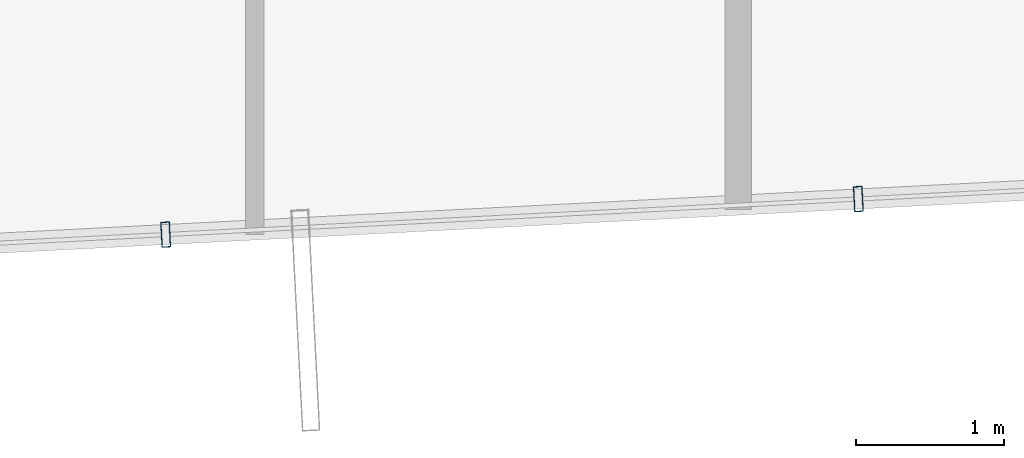
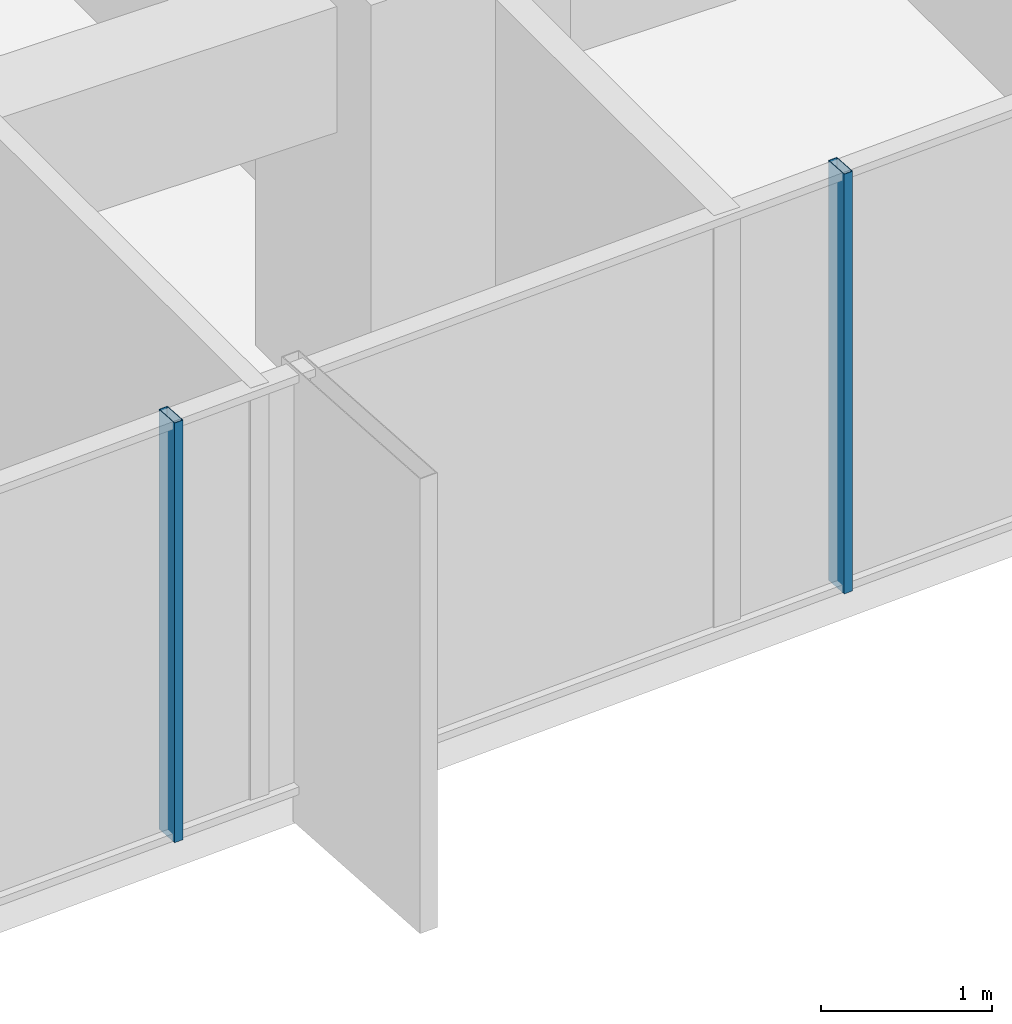
# One storey, part 6 of 37: 2 members, 1 element without a shape of its own.
"""IFC4 building model written with IfcOpenShell, lengths in metres."""

from ifc_helpers import new_model, si_unit, direction, frame, origin, origin_2d, place, context, subcontext, project, spatial, hollow_rectangle, extrude, source, transform, mapped, material, layer, layer_set, material_profile, profile_set, type_object, element, aggregate, save


model = new_model("IFC4")

# Units and contexts
model_context = context("Model", 3, precision=1e-05, world=origin(), true_north=direction((0.0, 1.0)))
body_context = subcontext(model_context, "Body", "Model", "MODEL_VIEW")
ifc_project = project(units=[si_unit("LENGTHUNIT", "METRE"), si_unit("AREAUNIT", "SQUARE_METRE"), si_unit("VOLUMEUNIT", "CUBIC_METRE"), si_unit("PLANEANGLEUNIT", "RADIAN"), si_unit("MASSUNIT", "GRAM", prefix="KILO")], contexts=[model_context])

# Site, building, storey
site_placement = place(None, origin())
site = spatial("IfcSite", under=ifc_project, at=site_placement, CompositionType="ELEMENT")
building_placement = place(site_placement, origin())
building = spatial("IfcBuilding", under=site, at=building_placement, Name="Veraguas Prism Commons", CompositionType="ELEMENT")
storey_placement = place(building_placement, frame((0.0, 0.0, 33.800048828125)))
storey = spatial("IfcBuildingStorey", under=building, at=storey_placement, Name="L08", CompositionType="ELEMENT", Elevation=33.800048828125)

# Curtain wall, members
ifc_material = material(Name="Anodised aluminium EN AW-6063 T6", Category="aluminium")
ifc_layer = layer(ifc_material, 0.169921875, Name="Unitised Flush Curtain Wall Zone 1", Category="aluminium")
ifc_layer_set = layer_set([ifc_layer], Name="Anodised aluminium EN AW-6063 T6")
curtain_wall_type = type_object("IfcCurtainWallType", Name="Unitised Flush Curtain Wall Zone 1", PredefinedType="NOTDEFINED", material=ifc_layer_set)
curtain_wall_placement = place(storey_placement, origin())
curtain_wall = element("IfcCurtainWall", 1, at=curtain_wall_placement, inside=storey, type_object=curtain_wall_type, Name="Tower Facade Curtain Wall L08-F5", PredefinedType="NOTDEFINED")
ifc_material_profile = material_profile(ifc_material, hollow_rectangle(XDim=0.06005859375, YDim=0.169921875, WallThickness=0.00390625, at=origin_2d()), Name="AL60X170X4")
ifc_profile_set = profile_set([ifc_material_profile], Name="Anodised aluminium EN AW-6063 T6")
member_type = type_object("IfcMemberType", Name="Curtain Wall Mullion Lower AL 60x170x4", PredefinedType="MULLION", material=ifc_profile_set)
shared_shape = source(origin(), body_context, "Body", "SweptSolid", [
    extrude(hollow_rectangle(XDim=0.06005859375, YDim=0.169921875, WallThickness=0.00390625, at=origin_2d()), origin(), (0.0, 0.0, 1.0), 3.0),
])
member_1_placement = place(storey_placement, frame((20.401123046875, 3.003173828125, 0.0), z_axis=(0.0, 0.0, 1.0), x_axis=(0.99868379327, 0.051290165334, 0.0)))
member_1 = element("IfcMember", 2, at=member_1_placement, type_object=member_type, Name="CW-Z1 Mullion 2", PredefinedType="MULLION", context=body_context, shape_type="MappedRepresentation", body=[
    mapped(shared_shape, transform((0.0, 0.0, 0.0), scale=1.0)),
])
member_2_placement = place(storey_placement, frame((25.066162109375, 3.24267578125, 0.0), z_axis=(0.0, 0.0, 1.0), x_axis=(0.99868379327, 0.051290165334, 0.0)))
member_2 = element("IfcMember", 3, at=member_2_placement, type_object=member_type, Name="CW-Z1 Mullion 3", PredefinedType="MULLION", context=body_context, shape_type="MappedRepresentation", body=[
    mapped(shared_shape, transform((0.0, 0.0, 0.0), scale=1.0)),
])
aggregate(curtain_wall, [member_1, member_2])

save(model, "model.ifc")
